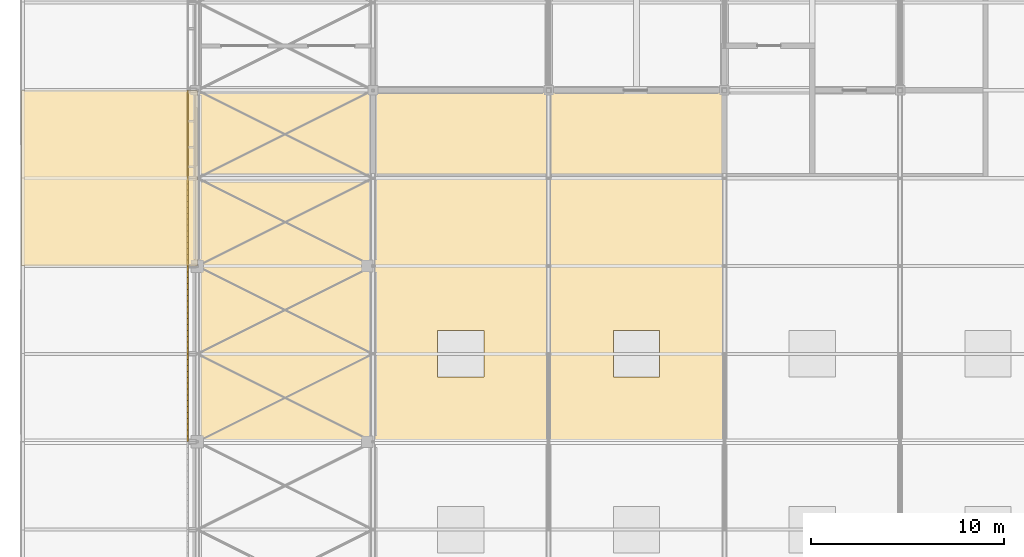
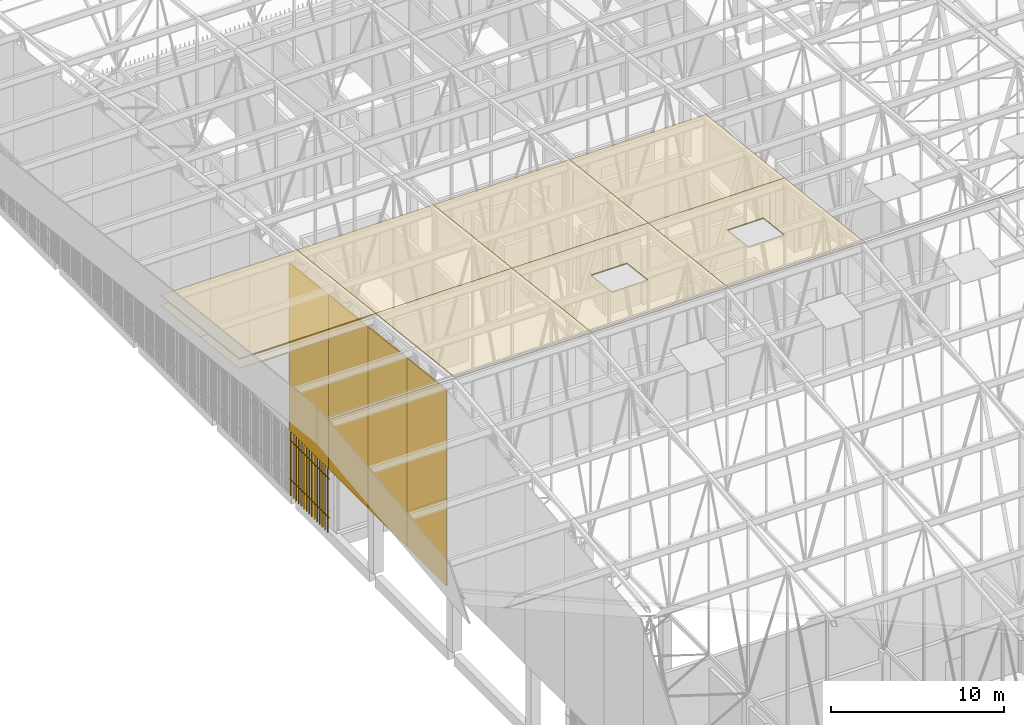
# One storey, part 470 of 500: 9 coverings, 5 shading devices.
"""IFC4 building model written with IfcOpenShell, lengths in metres."""

from ifc_helpers import new_model, si_unit, direction, frame, origin, origin_2d, place, context, subcontext, project, spatial, polyline, rectangle, outline, extrude, material, layer, layer_set, type_object, element, save


model = new_model("IFC4")

# Units and contexts
model_context = context("Model", 3, precision=1e-05, world=origin(), true_north=direction((0.0, 1.0)))
body_context = subcontext(model_context, "Body", "Model", "MODEL_VIEW")
ifc_project = project(units=[si_unit("LENGTHUNIT", "METRE"), si_unit("AREAUNIT", "SQUARE_METRE"), si_unit("VOLUMEUNIT", "CUBIC_METRE"), si_unit("PLANEANGLEUNIT", "RADIAN"), si_unit("MASSUNIT", "GRAM", prefix="KILO")], contexts=[model_context])

# Site, building, storey
site_placement = place(None, origin())
site = spatial("IfcSite", under=ifc_project, at=site_placement, CompositionType="ELEMENT")
building_placement = place(site_placement, origin())
building = spatial("IfcBuilding", under=site, at=building_placement, Name="Shirokan Park Arena", CompositionType="ELEMENT")
storey_placement = place(building_placement, frame((0.0, 0.0, 29.1201171875)))
storey = spatial("IfcBuildingStorey", under=building, at=storey_placement, Name="L06", CompositionType="ELEMENT", Elevation=29.1201171875)

# Coverings
ifc_material_1 = material(Name="Bituminous roofing membrane")
ifc_layer_1 = layer(ifc_material_1, 0.010009765625, Name="Bituminous roofing membrane")
ifc_material_2 = material(Name="Mineral wool insulation")
ifc_layer_2 = layer(ifc_material_2, 0.050048828125, Name="Mineral wool insulation")
ifc_layer_set_1 = layer_set([ifc_layer_1, ifc_layer_2], Name="Bituminous roofing membrane + Mineral wool insulation")
covering_type_1 = type_object("IfcCoveringType", Name="Roofing membrane 60", PredefinedType="ROOFING", material=ifc_layer_set_1)
covering_1_placement = place(storey_placement, frame((-9.10009765625, 63.699951171875, 18.130615234375), z_axis=(0.0, 0.113549598152, 0.993532328996), x_axis=(1.0, 0.0, 0.0)))
element("IfcCovering", 1, at=covering_1_placement, inside=storey, type_object=covering_type_1, Name="Roofing", PredefinedType="ROOFING", context=body_context, shape_type="SweptSolid", body=[
    extrude(outline(polyline([(0.0, 0.0), (9.10009765625, 0.0), (9.10009765625, 9.15933723611117), (0.0, 9.15933723611117), (0.0, 0.0)])), origin(), (0.0, 0.0, -1.0), 0.06005859375),
])
covering_2_placement = place(storey_placement, frame((0.0, 54.60009765625, 19.170654296875), z_axis=(0.0, 0.113552605302, 0.993531985308), x_axis=(1.0, 0.0, 0.0)))
element("IfcCovering", 2, at=covering_2_placement, inside=storey, type_object=covering_type_1, Name="Roofing", PredefinedType="ROOFING", context=body_context, shape_type="SweptSolid", body=[
    extrude(outline(polyline([(0.0, 0.0), (9.10009765625, 0.0), (9.10009765625, 9.159094674549367), (0.0, 9.159094674549367), (0.0, 0.0)])), origin(), (0.0, 0.0, -1.0), 0.06005859375),
])
covering_3_placement = place(storey_placement, frame((0.0, 63.699951171875, 18.130615234375), z_axis=(0.0, 0.113549598152, 0.993532328996), x_axis=(1.0, 0.0, 0.0)))
element("IfcCovering", 3, at=covering_3_placement, inside=storey, type_object=covering_type_1, Name="Roofing", PredefinedType="ROOFING", context=body_context, shape_type="SweptSolid", body=[
    extrude(outline(polyline([(0.0, 0.0), (9.10009765625, 0.0), (9.10009765625, 9.15933723611117), (0.0, 9.15933723611117), (0.0, 0.0)])), origin(), (0.0, 0.0, -1.0), 0.06005859375),
])
covering_4_placement = place(storey_placement, frame((9.10009765625, 54.60009765625, 19.170654296875), z_axis=(0.0, 0.113552605302, 0.993531985308), x_axis=(1.0, 0.0, 0.0)))
element("IfcCovering", 4, at=covering_4_placement, inside=storey, type_object=covering_type_1, Name="Roofing", PredefinedType="ROOFING", context=body_context, shape_type="SweptSolid", body=[
    extrude(outline(polyline([(0.0, 0.0), (9.099853515625, 0.0), (9.099853515625, 9.159094674549365), (0.0, 9.159094674549365), (0.0, 0.0)]), holes=[polyline([(5.75, 3.371655970585497), (5.75, 5.7874387039638675), (3.349853515625, 5.7874387039638675), (3.349853515625, 3.371655970585497), (5.75, 3.371655970585497)])]), origin(), (0.0, 0.0, -1.0), 0.06005859375),
])
covering_5_placement = place(storey_placement, frame((9.10009765625, 63.699951171875, 18.130615234375), z_axis=(0.0, 0.113549598152, 0.993532328996), x_axis=(1.0, 0.0, 0.0)))
element("IfcCovering", 5, at=covering_5_placement, inside=storey, type_object=covering_type_1, Name="Roofing", PredefinedType="ROOFING", context=body_context, shape_type="SweptSolid", body=[
    extrude(outline(polyline([(0.0, 0.0), (9.099853515625, 0.0), (9.099853515625, 9.15933723611117), (0.0, 9.15933723611117), (0.0, 0.0)])), origin(), (0.0, 0.0, -1.0), 0.06005859375),
])
covering_6_placement = place(storey_placement, frame((18.199951171875, 54.60009765625, 19.170654296875), z_axis=(0.0, 0.113552605302, 0.993531985308), x_axis=(1.0, 0.0, 0.0)))
element("IfcCovering", 6, at=covering_6_placement, inside=storey, type_object=covering_type_1, Name="Roofing", PredefinedType="ROOFING", context=body_context, shape_type="SweptSolid", body=[
    extrude(outline(polyline([(0.0, 0.0), (9.10009765625, 0.0), (9.10009765625, 9.159094674549367), (0.0, 9.159094674549367), (0.0, 0.0)]), holes=[polyline([(5.75, 3.3716559705854974), (5.75, 5.787438703963868), (3.35009765625, 5.787438703963868), (3.35009765625, 3.3716559705854974), (5.75, 3.3716559705854974)])]), origin(), (0.0, 0.0, -1.0), 0.06005859375),
])
covering_7_placement = place(storey_placement, frame((18.199951171875, 63.699951171875, 18.130615234375), z_axis=(0.0, 0.113549598152, 0.993532328996), x_axis=(1.0, 0.0, 0.0)))
element("IfcCovering", 7, at=covering_7_placement, inside=storey, type_object=covering_type_1, Name="Roofing", PredefinedType="ROOFING", context=body_context, shape_type="SweptSolid", body=[
    extrude(outline(polyline([(0.0, 0.0), (9.10009765625, 0.0), (9.10009765625, 9.15933723611117), (0.0, 9.15933723611117), (0.0, 0.0)])), origin(), (0.0, 0.0, -1.0), 0.06005859375),
])
ifc_material_3 = material(Name="Timber soffit boards (cedar)", Category="wood")
ifc_layer_3 = layer(ifc_material_3, 0.030029296875)
ifc_layer_set_2 = layer_set([ifc_layer_3], Name="Timber soffit boards (cedar) 30 mm")
covering_type_2 = type_object("IfcCoveringType", Name="Timber boarded soffit panel", PredefinedType="CLADDING", material=ifc_layer_set_2)
covering_8_placement = place(storey_placement, origin())
element("IfcCovering", 8, at=covering_8_placement, inside=storey, type_object=covering_type_2, Name="Rake soffit west bay 17", PredefinedType="CLADDING", context=body_context, shape_type="SweptSolid", body=[
    extrude(outline(polyline([(0.0, 0.0), (0.11999999999999922, 0.0), (0.11999999999999922, -4.579617887990217), (0.0, -4.579617887990217), (0.0, 0.0)])), frame((-8.97998046875, 63.699951171875, 17.421875), z_axis=(0.0, 0.113546591161, 0.993532672656), x_axis=(-1.0, 0.0, 0.0)), (0.0, 0.0, -1.0), 0.030029296875),
    extrude(outline(polyline([(0.0, 0.0), (0.12, 0.0), (0.12, -4.579617887990218), (0.0, -4.579617887990218), (0.0, 0.0)])), frame((-0.2470703125, 68.25, 16.90185546875), z_axis=(0.0, 0.113546591161, 0.993532672656), x_axis=(1.0, 0.0, 0.0)), (0.0, 0.0, -1.0), 0.030029296875),
    extrude(outline(polyline([(0.0, 0.0), (0.12078064455864268, 0.0), (0.12078064455864268, -8.733000000000002), (0.0, -8.733000000000002), (0.0, 0.0)])), frame((-0.2470703125, 68.25, 16.90185546875), z_axis=(0.0, 0.11351156512, 0.993536675007), x_axis=(0.0, -0.993536675007, 0.11351156512)), (0.0, 0.0, -1.0), 0.030029296875),
    extrude(outline(polyline([(0.0, 0.0), (0.12078064455863562, 0.0), (0.12078064455863562, -8.733000000000002), (0.0, -8.733000000000002), (0.0, 0.0)])), frame((-8.97998046875, 63.699951171875, 17.421875), z_axis=(0.0, 0.11351156512, 0.993536675007), x_axis=(0.0, 0.993536675007, -0.11351156512)), (0.0, 0.0, -1.0), 0.030029296875),
    extrude(outline(polyline([(0.0, 0.0), (8.733, 0.0), (8.733, -0.1845242816000151), (0.0, -0.1845242816000151), (0.0, 0.0)])), frame((-8.97998046875, 64.00341796875, 17.38720703125), z_axis=(0.0, 0.113589386818, 0.99352778079), x_axis=(1.0, 0.0, 0.0)), (0.0, 0.0, -1.0), 0.030029296875),
    extrude(outline(polyline([(0.0, 0.0), (8.733, 0.0), (8.733, -0.30531372586242334), (0.0, -0.30531372586242334), (0.0, 0.0)])), frame((-8.97998046875, 64.306640625, 17.3525390625), z_axis=(0.0, 0.113522573877, 0.993535417195), x_axis=(1.0, 0.0, 0.0)), (0.0, 0.0, -1.0), 0.030029296875),
    extrude(outline(polyline([(0.0, 0.0), (8.733, 0.0), (8.733, -0.30530492593471437), (0.0, -0.30530492593471437), (0.0, 0.0)])), frame((-8.97998046875, 64.610107421875, 17.31787109375), z_axis=(0.0, 0.113558600124, 0.99353130013), x_axis=(1.0, 0.0, 0.0)), (0.0, 0.0, -1.0), 0.030029296875),
    extrude(outline(polyline([(0.0, 0.0), (8.733, 0.0), (8.733, -0.30530492593471514), (0.0, -0.30530492593471514), (0.0, 0.0)])), frame((-8.97998046875, 64.913330078125, 17.283203125), z_axis=(0.0, 0.113558600124, 0.99353130013), x_axis=(1.0, 0.0, 0.0)), (0.0, 0.0, -1.0), 0.030029296875),
    extrude(outline(polyline([(0.0, 0.0), (8.733, 0.0), (8.733, -0.30531372586242256), (0.0, -0.30531372586242256), (0.0, 0.0)])), frame((-8.97998046875, 65.216552734375, 17.24853515625), z_axis=(0.0, 0.113522573877, 0.993535417195), x_axis=(1.0, 0.0, 0.0)), (0.0, 0.0, -1.0), 0.030029296875),
    extrude(outline(polyline([(0.0, 0.0), (8.733, 0.0), (8.733, -0.30530492593471437), (0.0, -0.30530492593471437), (0.0, 0.0)])), frame((-8.97998046875, 65.52001953125, 17.2138671875), z_axis=(0.0, 0.113558600124, 0.99353130013), x_axis=(1.0, 0.0, 0.0)), (0.0, 0.0, -1.0), 0.030029296875),
    extrude(outline(polyline([(0.0, 0.0), (8.733, 0.0), (8.733, -0.3053049259347152), (0.0, -0.3053049259347152), (0.0, 0.0)])), frame((-8.97998046875, 65.8232421875, 17.17919921875), z_axis=(0.0, 0.113558600124, 0.99353130013), x_axis=(1.0, 0.0, 0.0)), (0.0, 0.0, -1.0), 0.030029296875),
    extrude(outline(polyline([(0.0, 0.0), (8.733, 0.0), (8.733, -0.30531372586243666), (0.0, -0.30531372586243666), (0.0, 0.0)])), frame((-8.97998046875, 66.126708984375, 17.14453125), z_axis=(0.0, 0.113522573877, 0.993535417195), x_axis=(1.0, 0.0, 0.0)), (0.0, 0.0, -1.0), 0.030029296875),
    extrude(outline(polyline([(0.0, 0.0), (8.733, 0.0), (8.733, -0.3053049259347152), (0.0, -0.3053049259347152), (0.0, 0.0)])), frame((-8.97998046875, 66.429931640625, 17.10986328125), z_axis=(0.0, 0.113558600124, 0.99353130013), x_axis=(1.0, 0.0, 0.0)), (0.0, 0.0, -1.0), 0.030029296875),
    extrude(outline(polyline([(0.0, 0.0), (8.733, 0.0), (8.733, -0.30530492593470027), (0.0, -0.30530492593470027), (0.0, 0.0)])), frame((-8.97998046875, 66.7333984375, 17.0751953125), z_axis=(0.0, 0.113558600124, 0.99353130013), x_axis=(1.0, 0.0, 0.0)), (0.0, 0.0, -1.0), 0.030029296875),
    extrude(outline(polyline([(0.0, 0.0), (8.733, 0.0), (8.733, -0.3053137258624367), (0.0, -0.3053137258624367), (0.0, 0.0)])), frame((-8.97998046875, 67.03662109375, 17.04052734375), z_axis=(0.0, 0.113522573877, 0.993535417195), x_axis=(1.0, 0.0, 0.0)), (0.0, 0.0, -1.0), 0.030029296875),
    extrude(outline(polyline([(0.0, 0.0), (8.733, 0.0), (8.733, -0.30530492593471514), (0.0, -0.30530492593471514), (0.0, 0.0)])), frame((-8.97998046875, 67.340087890625, 17.005859375), z_axis=(0.0, 0.113558600124, 0.99353130013), x_axis=(1.0, 0.0, 0.0)), (0.0, 0.0, -1.0), 0.030029296875),
    extrude(outline(polyline([(0.0, 0.0), (8.733, 0.0), (8.733, -0.30530492593471437), (0.0, -0.30530492593471437), (0.0, 0.0)])), frame((-8.97998046875, 67.643310546875, 16.97119140625), z_axis=(0.0, 0.113558600124, 0.99353130013), x_axis=(1.0, 0.0, 0.0)), (0.0, 0.0, -1.0), 0.030029296875),
    extrude(outline(polyline([(0.0, 0.0), (8.733, 0.0), (8.733, -0.30531372586242334), (0.0, -0.30531372586242334), (0.0, 0.0)])), frame((-8.97998046875, 67.94677734375, 16.9365234375), z_axis=(0.0, 0.113522573877, 0.993535417195), x_axis=(1.0, 0.0, 0.0)), (0.0, 0.0, -1.0), 0.030029296875),
    extrude(outline(polyline([(0.0, 0.0), (8.733, 0.0), (8.733, -0.18452428160000803), (0.0, -0.18452428160000803), (0.0, 0.0)])), frame((-8.97998046875, 68.1298828125, 16.91552734375), z_axis=(0.0, 0.113589386818, 0.99352778079), x_axis=(1.0, 0.0, 0.0)), (0.0, 0.0, -1.0), 0.030029296875),
])
covering_9_placement = place(storey_placement, origin())
element("IfcCovering", 9, at=covering_9_placement, inside=storey, type_object=covering_type_2, Name="Rake soffit west bay 18", PredefinedType="CLADDING", context=body_context, shape_type="SweptSolid", body=[
    extrude(outline(polyline([(0.0, 0.0), (0.11999999999999922, 0.0), (0.11999999999999922, -4.579617887990215), (0.0, -4.579617887990215), (0.0, 0.0)])), frame((-8.97998046875, 68.25, 16.90185546875), z_axis=(0.0, 0.113546591161, 0.993532672656), x_axis=(-1.0, 0.0, 0.0)), (0.0, 0.0, -1.0), 0.030029296875),
    extrude(outline(polyline([(0.0, 0.0), (0.12, 0.0), (0.12, -4.579617887990217), (0.0, -4.579617887990217), (0.0, 0.0)])), frame((-0.2470703125, 72.800048828125, 16.3818359375), z_axis=(0.0, 0.113546591161, 0.993532672656), x_axis=(1.0, 0.0, 0.0)), (0.0, 0.0, -1.0), 0.030029296875),
    extrude(outline(polyline([(0.0, 0.0), (0.12078064455862775, 0.0), (0.12078064455862775, -8.733000000000002), (0.0, -8.733000000000002), (0.0, 0.0)])), frame((-0.2470703125, 72.800048828125, 16.3818359375), z_axis=(0.0, 0.11351156512, 0.993536675007), x_axis=(0.0, -0.993536675007, 0.11351156512)), (0.0, 0.0, -1.0), 0.030029296875),
    extrude(outline(polyline([(0.0, 0.0), (0.12078064455864186, 0.0), (0.12078064455864186, -8.733), (0.0, -8.733), (0.0, 0.0)])), frame((-8.97998046875, 68.25, 16.90185546875), z_axis=(0.0, 0.11351156512, 0.993536675007), x_axis=(0.0, 0.993536675007, -0.11351156512)), (0.0, 0.0, -1.0), 0.030029296875),
    extrude(outline(polyline([(0.0, 0.0), (8.733, 0.0), (8.733, -0.18452428160000883), (0.0, -0.18452428160000883), (0.0, 0.0)])), frame((-8.97998046875, 68.55322265625, 16.8671875), z_axis=(0.0, 0.113589386818, 0.99352778079), x_axis=(1.0, 0.0, 0.0)), (0.0, 0.0, -1.0), 0.030029296875),
    extrude(outline(polyline([(0.0, 0.0), (8.733, 0.0), (8.733, -0.30531372586242334), (0.0, -0.30531372586242334), (0.0, 0.0)])), frame((-8.97998046875, 68.856689453125, 16.83251953125), z_axis=(0.0, 0.113522573877, 0.993535417195), x_axis=(1.0, 0.0, 0.0)), (0.0, 0.0, -1.0), 0.030029296875),
    extrude(outline(polyline([(0.0, 0.0), (8.733, 0.0), (8.733, -0.30530492593471437), (0.0, -0.30530492593471437), (0.0, 0.0)])), frame((-8.97998046875, 69.159912109375, 16.7978515625), z_axis=(0.0, 0.113558600124, 0.99353130013), x_axis=(1.0, 0.0, 0.0)), (0.0, 0.0, -1.0), 0.030029296875),
    extrude(outline(polyline([(0.0, 0.0), (8.733, 0.0), (8.733, -0.30530492593471437), (0.0, -0.30530492593471437), (0.0, 0.0)])), frame((-8.97998046875, 69.46337890625, 16.76318359375), z_axis=(0.0, 0.113558600124, 0.99353130013), x_axis=(1.0, 0.0, 0.0)), (0.0, 0.0, -1.0), 0.030029296875),
    extrude(outline(polyline([(0.0, 0.0), (8.733, 0.0), (8.733, -0.3053137258624375), (0.0, -0.3053137258624375), (0.0, 0.0)])), frame((-8.97998046875, 69.7666015625, 16.728515625), z_axis=(0.0, 0.113522573877, 0.993535417195), x_axis=(1.0, 0.0, 0.0)), (0.0, 0.0, -1.0), 0.030029296875),
    extrude(outline(polyline([(0.0, 0.0), (8.733, 0.0), (8.733, -0.30530492593470027), (0.0, -0.30530492593470027), (0.0, 0.0)])), frame((-8.97998046875, 70.070068359375, 16.69384765625), z_axis=(0.0, 0.113558600124, 0.99353130013), x_axis=(1.0, 0.0, 0.0)), (0.0, 0.0, -1.0), 0.030029296875),
    extrude(outline(polyline([(0.0, 0.0), (8.733, 0.0), (8.733, -0.30530492593471437), (0.0, -0.30530492593471437), (0.0, 0.0)])), frame((-8.97998046875, 70.373291015625, 16.6591796875), z_axis=(0.0, 0.113558600124, 0.99353130013), x_axis=(1.0, 0.0, 0.0)), (0.0, 0.0, -1.0), 0.030029296875),
    extrude(outline(polyline([(0.0, 0.0), (8.733, 0.0), (8.733, -0.3053137258624375), (0.0, -0.3053137258624375), (0.0, 0.0)])), frame((-8.97998046875, 70.6767578125, 16.62451171875), z_axis=(0.0, 0.113522573877, 0.993535417195), x_axis=(1.0, 0.0, 0.0)), (0.0, 0.0, -1.0), 0.030029296875),
    extrude(outline(polyline([(0.0, 0.0), (8.733, 0.0), (8.733, -0.30530492593471437), (0.0, -0.30530492593471437), (0.0, 0.0)])), frame((-8.97998046875, 70.97998046875, 16.58984375), z_axis=(0.0, 0.113558600124, 0.99353130013), x_axis=(1.0, 0.0, 0.0)), (0.0, 0.0, -1.0), 0.030029296875),
    extrude(outline(polyline([(0.0, 0.0), (8.733, 0.0), (8.733, -0.30530492593471437), (0.0, -0.30530492593471437), (0.0, 0.0)])), frame((-8.97998046875, 71.283447265625, 16.55517578125), z_axis=(0.0, 0.113558600124, 0.99353130013), x_axis=(1.0, 0.0, 0.0)), (0.0, 0.0, -1.0), 0.030029296875),
    extrude(outline(polyline([(0.0, 0.0), (8.733, 0.0), (8.733, -0.3053137258624234), (0.0, -0.3053137258624234), (0.0, 0.0)])), frame((-8.97998046875, 71.586669921875, 16.5205078125), z_axis=(0.0, 0.113522573877, 0.993535417195), x_axis=(1.0, 0.0, 0.0)), (0.0, 0.0, -1.0), 0.030029296875),
    extrude(outline(polyline([(0.0, 0.0), (8.733, 0.0), (8.733, -0.30530492593471437), (0.0, -0.30530492593471437), (0.0, 0.0)])), frame((-8.97998046875, 71.889892578125, 16.48583984375), z_axis=(0.0, 0.113558600124, 0.99353130013), x_axis=(1.0, 0.0, 0.0)), (0.0, 0.0, -1.0), 0.030029296875),
    extrude(outline(polyline([(0.0, 0.0), (8.733, 0.0), (8.733, -0.30530492593471437), (0.0, -0.30530492593471437), (0.0, 0.0)])), frame((-8.97998046875, 72.193359375, 16.451171875), z_axis=(0.0, 0.113558600124, 0.99353130013), x_axis=(1.0, 0.0, 0.0)), (0.0, 0.0, -1.0), 0.030029296875),
    extrude(outline(polyline([(0.0, 0.0), (8.733, 0.0), (8.733, -0.30531372586242334), (0.0, -0.30531372586242334), (0.0, 0.0)])), frame((-8.97998046875, 72.49658203125, 16.41650390625), z_axis=(0.0, 0.113522573877, 0.993535417195), x_axis=(1.0, 0.0, 0.0)), (0.0, 0.0, -1.0), 0.030029296875),
    extrude(outline(polyline([(0.0, 0.0), (8.733, 0.0), (8.733, -0.18452428160002296), (0.0, -0.18452428160002296), (0.0, 0.0)])), frame((-8.97998046875, 72.679931640625, 16.3955078125), z_axis=(0.0, 0.113589386818, 0.99352778079), x_axis=(1.0, 0.0, 0.0)), (0.0, 0.0, -1.0), 0.030029296875),
])

# Shading devices
ifc_material_4 = material(Name="Timber louvre veil (cedar)", Category="wood")
shading_device_type_1 = type_object("IfcShadingDeviceType", Name="Timber louvre veil panel", PredefinedType="JALOUSIE", material=ifc_material_4)
shading_device_1_placement = place(storey_placement, origin())
element("IfcShadingDevice", 10, at=shading_device_1_placement, inside=storey, type_object=shading_device_type_1, Name="Timber louvre veil west bay 5 L06", PredefinedType="JALOUSIE", context=body_context, shape_type="SweptSolid", body=[
    extrude(rectangle(XDim=0.050048828125, YDim=0.080078125, at=origin_2d()), frame((-0.485107421875, 72.6484375, 0.0), z_axis=(0.0, 0.0, 1.0), x_axis=(0.0, -1.0, 0.0)), (0.0, 0.0, 1.0), 4.5),
    extrude(rectangle(XDim=0.050048828125, YDim=0.080078125, at=origin_2d()), frame((-0.485107421875, 72.344970703125, 0.0), z_axis=(0.0, 0.0, 1.0), x_axis=(0.0, -1.0, 0.0)), (0.0, 0.0, 1.0), 4.5),
    extrude(rectangle(XDim=0.050048828125, YDim=0.080078125, at=origin_2d()), frame((-0.485107421875, 72.041748046875, 0.0), z_axis=(0.0, 0.0, 1.0), x_axis=(0.0, -1.0, 0.0)), (0.0, 0.0, 1.0), 4.5),
    extrude(rectangle(XDim=0.050048828125, YDim=0.080078125, at=origin_2d()), frame((-0.485107421875, 71.73828125, 0.0), z_axis=(0.0, 0.0, 1.0), x_axis=(0.0, -1.0, 0.0)), (0.0, 0.0, 1.0), 4.5),
    extrude(rectangle(XDim=0.050048828125, YDim=0.080078125, at=origin_2d()), frame((-0.485107421875, 71.43505859375, 0.0), z_axis=(0.0, 0.0, 1.0), x_axis=(0.0, -1.0, 0.0)), (0.0, 0.0, 1.0), 4.5),
    extrude(rectangle(XDim=0.050048828125, YDim=0.080078125, at=origin_2d()), frame((-0.485107421875, 71.131591796875, 0.0), z_axis=(0.0, 0.0, 1.0), x_axis=(0.0, -1.0, 0.0)), (0.0, 0.0, 1.0), 4.5),
    extrude(rectangle(XDim=0.050048828125, YDim=0.080078125, at=origin_2d()), frame((-0.485107421875, 70.828369140625, 0.0), z_axis=(0.0, 0.0, 1.0), x_axis=(0.0, -1.0, 0.0)), (0.0, 0.0, 1.0), 4.5),
    extrude(rectangle(XDim=0.050048828125, YDim=0.080078125, at=origin_2d()), frame((-0.485107421875, 70.52490234375, 0.0), z_axis=(0.0, 0.0, 1.0), x_axis=(0.0, -1.0, 0.0)), (0.0, 0.0, 1.0), 4.5),
    extrude(rectangle(XDim=0.050048828125, YDim=0.080078125, at=origin_2d()), frame((-0.485107421875, 70.2216796875, 0.0), z_axis=(0.0, 0.0, 1.0), x_axis=(0.0, -1.0, 0.0)), (0.0, 0.0, 1.0), 4.5),
    extrude(rectangle(XDim=0.050048828125, YDim=0.080078125, at=origin_2d()), frame((-0.485107421875, 69.918212890625, 0.0), z_axis=(0.0, 0.0, 1.0), x_axis=(0.0, -1.0, 0.0)), (0.0, 0.0, 1.0), 4.5),
    extrude(rectangle(XDim=0.050048828125, YDim=0.080078125, at=origin_2d()), frame((-0.485107421875, 69.614990234375, 0.0), z_axis=(0.0, 0.0, 1.0), x_axis=(0.0, -1.0, 0.0)), (0.0, 0.0, 1.0), 4.5),
    extrude(rectangle(XDim=0.050048828125, YDim=0.080078125, at=origin_2d()), frame((-0.485107421875, 69.311767578125, 0.0), z_axis=(0.0, 0.0, 1.0), x_axis=(0.0, -1.0, 0.0)), (0.0, 0.0, 1.0), 4.5),
    extrude(rectangle(XDim=0.050048828125, YDim=0.080078125, at=origin_2d()), frame((-0.485107421875, 69.00830078125, 0.0), z_axis=(0.0, 0.0, 1.0), x_axis=(0.0, -1.0, 0.0)), (0.0, 0.0, 1.0), 4.5),
    extrude(rectangle(XDim=0.050048828125, YDim=0.080078125, at=origin_2d()), frame((-0.485107421875, 68.705078125, 0.0), z_axis=(0.0, 0.0, 1.0), x_axis=(0.0, -1.0, 0.0)), (0.0, 0.0, 1.0), 4.5),
    extrude(rectangle(XDim=0.050048828125, YDim=0.080078125, at=origin_2d()), frame((-0.485107421875, 68.401611328125, 0.0), z_axis=(0.0, 0.0, 1.0), x_axis=(0.0, -1.0, 0.0)), (0.0, 0.0, 1.0), 4.5),
    extrude(rectangle(XDim=4.550048828125, YDim=0.050048828125, at=origin_2d()), frame((-0.469970703125, 70.52490234375, 1.059814453125), z_axis=(0.0, 0.0, 1.0), x_axis=(0.0, -1.0, 0.0)), (0.0, 0.0, 1.0), 0.080078125),
    extrude(rectangle(XDim=4.550048828125, YDim=0.050048828125, at=origin_2d()), frame((-0.469970703125, 70.52490234375, 3.809814453125), z_axis=(0.0, 0.0, 1.0), x_axis=(0.0, -1.0, 0.0)), (0.0, 0.0, 1.0), 0.080078125),
])
shading_device_type_2 = type_object("IfcShadingDeviceType", Name="Timber louvre veil panel, gable band, closed", PredefinedType="JALOUSIE", material=ifc_material_4)
shading_device_2_placement = place(storey_placement, origin())
element("IfcShadingDevice", 11, at=shading_device_2_placement, inside=storey, type_object=shading_device_type_2, Name="Timber louvre veil gable band west bay 15", PredefinedType="JALOUSIE", context=body_context, shape_type="SweptSolid", body=[
    extrude(outline(polyline([(59.14990234375, 4.575927734375), (59.14990234375, 17.911865234375), (58.8466796875, 17.911865234375), (58.8466796875, 17.946533203125), (58.543212890625, 17.946533203125), (58.543212890625, 17.981201171875), (58.239990234375, 17.981201171875), (58.239990234375, 18.015869140625), (57.936767578125, 18.015869140625), (57.936767578125, 18.050537109375), (57.63330078125, 18.050537109375), (57.63330078125, 18.085205078125), (57.330078125, 18.085205078125), (57.330078125, 18.119873046875), (57.026611328125, 18.119873046875), (57.026611328125, 18.154541015625), (56.723388671875, 18.154541015625), (56.723388671875, 18.189208984375), (56.419921875, 18.189208984375), (56.419921875, 18.223876953125), (56.11669921875, 18.223876953125), (56.11669921875, 18.258544921875), (55.813232421875, 18.258544921875), (55.813232421875, 18.293212890625), (55.510009765625, 18.293212890625), (55.510009765625, 18.327880859375), (55.206787109375, 18.327880859375), (55.206787109375, 18.362548828125), (54.9033203125, 18.362548828125), (54.9033203125, 18.397216796875), (54.60009765625, 18.397216796875), (54.60009765625, 4.575927734375), (59.14990234375, 4.575927734375)])), frame((-0.525146484375, 0.0, 0.0), z_axis=(1.0, 0.0, 0.0), x_axis=(0.0, 1.0, 0.0)), (0.0, 0.0, 1.0), 0.080078125),
    extrude(rectangle(XDim=0.050048828125, YDim=4.550048828125, at=origin_2d()), frame((-0.469970703125, 56.875, 4.98583984375), z_axis=(0.0, 0.0, 1.0), x_axis=(1.0, 0.0, 0.0)), (0.0, 0.0, 1.0), 0.080078125),
    extrude(rectangle(XDim=0.050048828125, YDim=4.550048828125, at=origin_2d()), frame((-0.469970703125, 56.875, 11.203857421875), z_axis=(0.0, 0.0, 1.0), x_axis=(1.0, 0.0, 0.0)), (0.0, 0.0, 1.0), 0.080078125),
    extrude(rectangle(XDim=0.050048828125, YDim=4.550048828125, at=origin_2d()), frame((-0.469970703125, 56.875, 17.771728515625), z_axis=(0.0, 0.0, 1.0), x_axis=(1.0, 0.0, 0.0)), (0.0, 0.0, 1.0), 0.080078125),
])
shading_device_3_placement = place(storey_placement, origin())
element("IfcShadingDevice", 12, at=shading_device_3_placement, inside=storey, type_object=shading_device_type_2, Name="Timber louvre veil gable band west bay 16", PredefinedType="JALOUSIE", context=body_context, shape_type="SweptSolid", body=[
    extrude(outline(polyline([(63.699951171875, 4.575927734375), (63.699951171875, 17.391845703125), (63.396728515625, 17.391845703125), (63.396728515625, 17.426513671875), (63.09326171875, 17.426513671875), (63.09326171875, 17.461181640625), (62.7900390625, 17.461181640625), (62.7900390625, 17.495849609375), (62.486572265625, 17.495849609375), (62.486572265625, 17.530517578125), (62.183349609375, 17.530517578125), (62.183349609375, 17.565185546875), (61.8798828125, 17.565185546875), (61.8798828125, 17.599853515625), (61.57666015625, 17.599853515625), (61.57666015625, 17.634521484375), (61.2734375, 17.634521484375), (61.2734375, 17.669189453125), (60.969970703125, 17.669189453125), (60.969970703125, 17.703857421875), (60.666748046875, 17.703857421875), (60.666748046875, 17.738525390625), (60.36328125, 17.738525390625), (60.36328125, 17.773193359375), (60.06005859375, 17.773193359375), (60.06005859375, 17.807861328125), (59.756591796875, 17.807861328125), (59.756591796875, 17.842529296875), (59.453369140625, 17.842529296875), (59.453369140625, 17.877197265625), (59.14990234375, 17.877197265625), (59.14990234375, 4.575927734375), (63.699951171875, 4.575927734375)])), frame((-0.525146484375, 0.0, 0.0), z_axis=(1.0, 0.0, 0.0), x_axis=(0.0, 1.0, 0.0)), (0.0, 0.0, 1.0), 0.080078125),
    extrude(rectangle(XDim=0.050048828125, YDim=4.550048828125, at=origin_2d()), frame((-0.469970703125, 61.425048828125, 4.98583984375), z_axis=(0.0, 0.0, 1.0), x_axis=(1.0, 0.0, 0.0)), (0.0, 0.0, 1.0), 0.080078125),
    extrude(rectangle(XDim=0.050048828125, YDim=4.550048828125, at=origin_2d()), frame((-0.469970703125, 61.425048828125, 10.94384765625), z_axis=(0.0, 0.0, 1.0), x_axis=(1.0, 0.0, 0.0)), (0.0, 0.0, 1.0), 0.080078125),
    extrude(rectangle(XDim=0.050048828125, YDim=4.550048828125, at=origin_2d()), frame((-0.469970703125, 61.425048828125, 17.251953125), z_axis=(0.0, 0.0, 1.0), x_axis=(1.0, 0.0, 0.0)), (0.0, 0.0, 1.0), 0.080078125),
])
shading_device_4_placement = place(storey_placement, origin())
element("IfcShadingDevice", 13, at=shading_device_4_placement, inside=storey, type_object=shading_device_type_2, Name="Timber louvre veil gable band west bay 17", PredefinedType="JALOUSIE", context=body_context, shape_type="SweptSolid", body=[
    extrude(outline(polyline([(68.25, 4.575927734375), (68.25, 16.871826171875), (67.94677734375, 16.871826171875), (67.94677734375, 16.906494140625), (67.643310546875, 16.906494140625), (67.643310546875, 16.941162109375), (67.340087890625, 16.941162109375), (67.340087890625, 16.975830078125), (67.03662109375, 16.975830078125), (67.03662109375, 17.010498046875), (66.7333984375, 17.010498046875), (66.7333984375, 17.045166015625), (66.429931640625, 17.045166015625), (66.429931640625, 17.079833984375), (66.126708984375, 17.079833984375), (66.126708984375, 17.114501953125), (65.8232421875, 17.114501953125), (65.8232421875, 17.149169921875), (65.52001953125, 17.149169921875), (65.52001953125, 17.183837890625), (65.216552734375, 17.183837890625), (65.216552734375, 17.218505859375), (64.913330078125, 17.218505859375), (64.913330078125, 17.253173828125), (64.610107421875, 17.253173828125), (64.610107421875, 17.287841796875), (64.306640625, 17.287841796875), (64.306640625, 17.322509765625), (64.00341796875, 17.322509765625), (64.00341796875, 17.357177734375), (63.699951171875, 17.357177734375), (63.699951171875, 4.575927734375), (68.25, 4.575927734375)])), frame((-0.525146484375, 0.0, 0.0), z_axis=(1.0, 0.0, 0.0), x_axis=(0.0, 1.0, 0.0)), (0.0, 0.0, 1.0), 0.080078125),
    extrude(rectangle(XDim=0.050048828125, YDim=4.550048828125, at=origin_2d()), frame((-0.469970703125, 65.97509765625, 4.98583984375), z_axis=(0.0, 0.0, 1.0), x_axis=(1.0, 0.0, 0.0)), (0.0, 0.0, 1.0), 0.080078125),
    extrude(rectangle(XDim=0.050048828125, YDim=4.550048828125, at=origin_2d()), frame((-0.469970703125, 65.97509765625, 10.683837890625), z_axis=(0.0, 0.0, 1.0), x_axis=(1.0, 0.0, 0.0)), (0.0, 0.0, 1.0), 0.080078125),
    extrude(rectangle(XDim=0.050048828125, YDim=4.550048828125, at=origin_2d()), frame((-0.469970703125, 65.97509765625, 16.73193359375), z_axis=(0.0, 0.0, 1.0), x_axis=(1.0, 0.0, 0.0)), (0.0, 0.0, 1.0), 0.080078125),
])
shading_device_5_placement = place(storey_placement, origin())
element("IfcShadingDevice", 14, at=shading_device_5_placement, inside=storey, type_object=shading_device_type_2, Name="Timber louvre veil gable band west bay 18", PredefinedType="JALOUSIE", context=body_context, shape_type="SweptSolid", body=[
    extrude(outline(polyline([(72.800048828125, 4.575927734375), (72.800048828125, 16.351806640625), (72.49658203125, 16.351806640625), (72.49658203125, 16.386474609375), (72.193359375, 16.386474609375), (72.193359375, 16.421142578125), (71.889892578125, 16.421142578125), (71.889892578125, 16.455810546875), (71.586669921875, 16.455810546875), (71.586669921875, 16.490478515625), (71.283447265625, 16.490478515625), (71.283447265625, 16.525146484375), (70.97998046875, 16.525146484375), (70.97998046875, 16.559814453125), (70.6767578125, 16.559814453125), (70.6767578125, 16.594482421875), (70.373291015625, 16.594482421875), (70.373291015625, 16.629150390625), (70.070068359375, 16.629150390625), (70.070068359375, 16.663818359375), (69.7666015625, 16.663818359375), (69.7666015625, 16.698486328125), (69.46337890625, 16.698486328125), (69.46337890625, 16.733154296875), (69.159912109375, 16.733154296875), (69.159912109375, 16.767822265625), (68.856689453125, 16.767822265625), (68.856689453125, 16.802490234375), (68.55322265625, 16.802490234375), (68.55322265625, 16.837158203125), (68.25, 16.837158203125), (68.25, 4.575927734375), (72.800048828125, 4.575927734375)])), frame((-0.525146484375, 0.0, 0.0), z_axis=(1.0, 0.0, 0.0), x_axis=(0.0, 1.0, 0.0)), (0.0, 0.0, 1.0), 0.080078125),
    extrude(rectangle(XDim=0.050048828125, YDim=4.550048828125, at=origin_2d()), frame((-0.469970703125, 70.52490234375, 4.98583984375), z_axis=(0.0, 0.0, 1.0), x_axis=(1.0, 0.0, 0.0)), (0.0, 0.0, 1.0), 0.080078125),
    extrude(rectangle(XDim=0.050048828125, YDim=4.550048828125, at=origin_2d()), frame((-0.469970703125, 70.52490234375, 10.423828125), z_axis=(0.0, 0.0, 1.0), x_axis=(1.0, 0.0, 0.0)), (0.0, 0.0, 1.0), 0.080078125),
    extrude(rectangle(XDim=0.050048828125, YDim=4.550048828125, at=origin_2d()), frame((-0.469970703125, 70.52490234375, 16.2119140625), z_axis=(0.0, 0.0, 1.0), x_axis=(1.0, 0.0, 0.0)), (0.0, 0.0, 1.0), 0.080078125),
])

save(model, "model.ifc")
